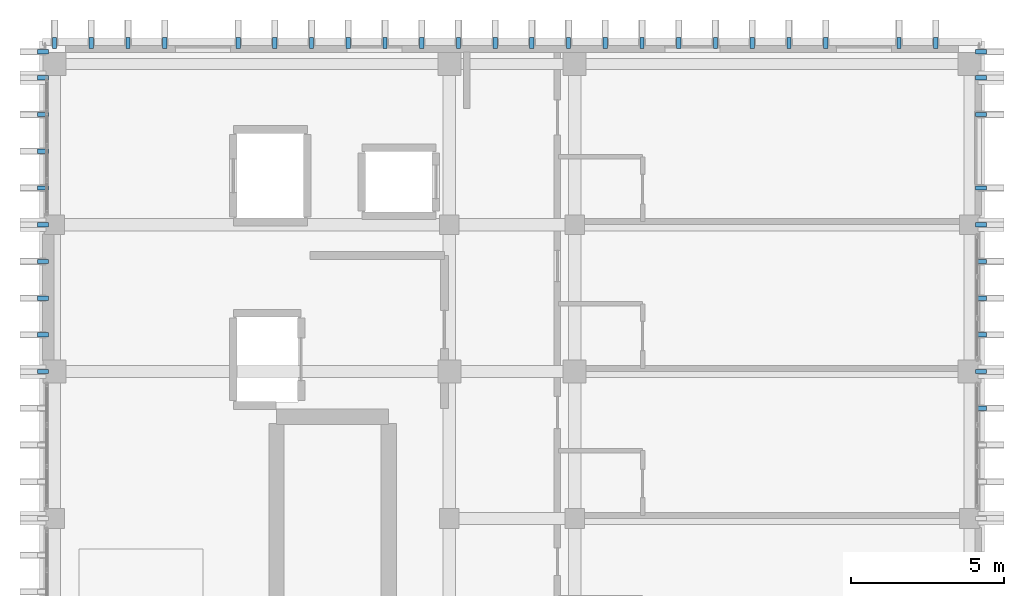
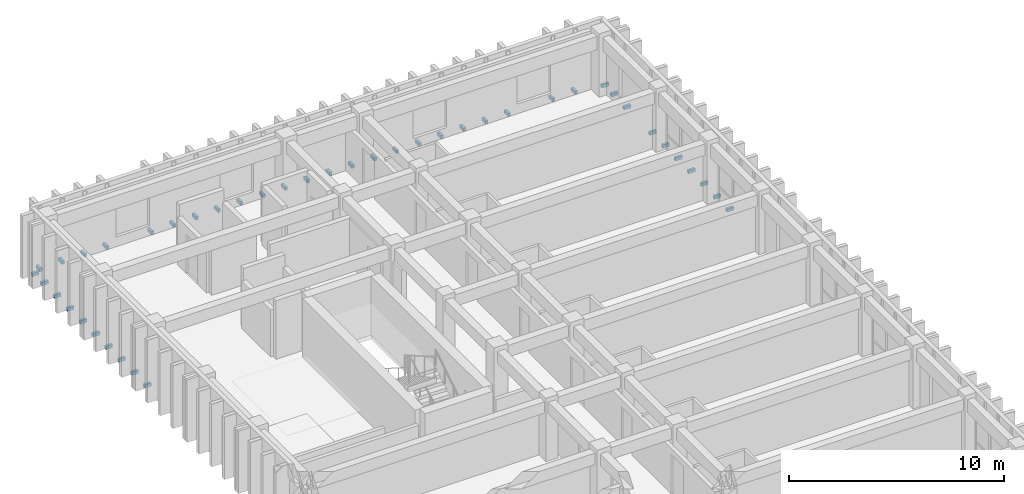
# One storey, part 57 of 64: 43 discrete accessories.
"""IFC4 building model written with IfcOpenShell, lengths in metres."""

from ifc_helpers import new_model, si_unit, direction, frame, origin, origin_2d, place, context, subcontext, project, spatial, rectangle, extrude, material, type_object, element, save


model = new_model("IFC4")

# Units and contexts
model_context = context("Model", 3, precision=1e-05, world=origin(), true_north=direction((0.0, 1.0)))
body_context = subcontext(model_context, "Body", "Model", "MODEL_VIEW")
ifc_project = project(units=[si_unit("LENGTHUNIT", "METRE"), si_unit("AREAUNIT", "SQUARE_METRE"), si_unit("VOLUMEUNIT", "CUBIC_METRE"), si_unit("PLANEANGLEUNIT", "RADIAN"), si_unit("MASSUNIT", "GRAM", prefix="KILO")], contexts=[model_context])

# Site, building, storey
site_placement = place(None, origin())
site = spatial("IfcSite", under=ifc_project, at=site_placement, CompositionType="ELEMENT")
building_placement = place(site_placement, origin())
building = spatial("IfcBuilding", under=site, at=building_placement, Name="Nakhvara Creek Congress Hotel", CompositionType="ELEMENT")
storey_placement = place(building_placement, frame((0.0, 0.0, 28.199951171875)))
storey = spatial("IfcBuildingStorey", under=building, at=storey_placement, Name="L06", CompositionType="ELEMENT", Elevation=28.199951171875)

# Discrete accessories
ifc_material = material(Name="Brushed stainless steel 316L", Category="steel")
discrete_accessory_type = type_object("IfcDiscreteAccessoryType", Name="ACC-BRK-SS316", PredefinedType="BRACKET", material=ifc_material)
for number, where, z_axis, x_axis, name in (
    (1, (179.72998046875, 114.0, -0.10986328125), (0.0, 0.0, 1.0), (0.0, 1.0, 0.0), "Stainless Fin Bracket BK01-1604"),
    (2, (179.72998046875, 115.199951171875, -0.10986328125), (0.0, 0.0, 1.0), (0.0, 1.0, 0.0), "Stainless Fin Bracket BK01-1606"),
    (3, (149.070068359375, 115.199951171875, -0.10986328125), (0.0, 0.0, 1.0), (0.0, 1.0, 0.0), "Stainless Fin Bracket BK01-1607"),
    (4, (179.72998046875, 116.39990234375, -0.10986328125), (0.0, 0.0, 1.0), (0.0, 1.0, 0.0), "Stainless Fin Bracket BK01-1608"),
    (5, (149.070068359375, 116.39990234375, -0.10986328125), (0.0, 0.0, 1.0), (0.0, 1.0, 0.0), "Stainless Fin Bracket BK01-1609"),
    (6, (179.72998046875, 117.60009765625, -0.10986328125), (0.0, 0.0, 1.0), (0.0, 1.0, 0.0), "Stainless Fin Bracket BK01-1610"),
    (7, (149.070068359375, 117.60009765625, -0.10986328125), (0.0, 0.0, 1.0), (0.0, 1.0, 0.0), "Stainless Fin Bracket BK01-1611"),
    (8, (179.72998046875, 118.800048828125, -0.10986328125), (0.0, 0.0, 1.0), (0.0, 1.0, 0.0), "Stainless Fin Bracket BK01-1612"),
    (9, (149.070068359375, 118.800048828125, -0.10986328125), (0.0, 0.0, 1.0), (0.0, 1.0, 0.0), "Stainless Fin Bracket BK01-1613"),
    (10, (179.72998046875, 120.0, -0.10986328125), (0.0, 0.0, 1.0), (0.0, 1.0, 0.0), "Stainless Fin Bracket BK01-1614"),
    (11, (149.070068359375, 120.0, -0.10986328125), (0.0, 0.0, 1.0), (0.0, 1.0, 0.0), "Stainless Fin Bracket BK01-1615"),
    (12, (179.72998046875, 121.199951171875, -0.10986328125), (0.0, 0.0, 1.0), (0.0, 1.0, 0.0), "Stainless Fin Bracket BK01-1616"),
    (13, (149.070068359375, 121.199951171875, -0.10986328125), (0.0, 0.0, 1.0), (0.0, 1.0, 0.0), "Stainless Fin Bracket BK01-1617"),
    (14, (149.070068359375, 122.39990234375, -0.10986328125), (0.0, 0.0, 1.0), (0.0, 1.0, 0.0), "Stainless Fin Bracket BK01-1618"),
    (15, (179.72998046875, 123.60009765625, -0.10986328125), (0.0, 0.0, 1.0), (0.0, 1.0, 0.0), "Stainless Fin Bracket BK01-1619"),
    (16, (149.070068359375, 123.60009765625, -0.10986328125), (0.0, 0.0, 1.0), (0.0, 1.0, 0.0), "Stainless Fin Bracket BK01-1620"),
    (17, (179.72998046875, 124.800048828125, -0.10986328125), (0.0, 0.0, 1.0), (0.0, 1.0, 0.0), "Stainless Fin Bracket BK01-1621"),
    (18, (149.070068359375, 124.800048828125, -0.10986328125), (0.0, 0.0, 1.0), (0.0, 1.0, 0.0), "Stainless Fin Bracket BK01-1622"),
    (19, (179.72998046875, 125.64990234375, -0.10986328125), (0.0, 0.0, 1.0), (0.0, 1.0, 0.0), "Stainless Fin Bracket BK01-1623"),
    (20, (149.070068359375, 125.64990234375, -0.10986328125), (0.0, 0.0, 1.0), (0.0, 1.0, 0.0), "Stainless Fin Bracket BK01-1624"),
    (21, (149.449951171875, 125.93994140625, -0.10986328125), (0.0, 0.0, 1.0), (1.0, 0.0, 0.0), "Stainless Fin Bracket BK01-1625"),
    (22, (150.64990234375, 125.93994140625, -0.10986328125), (0.0, 0.0, 1.0), (1.0, 0.0, 0.0), "Stainless Fin Bracket BK01-1627"),
    (23, (151.85009765625, 125.93994140625, -0.10986328125), (0.0, 0.0, 1.0), (1.0, 0.0, 0.0), "Stainless Fin Bracket BK01-1629"),
    (24, (153.050048828125, 125.93994140625, -0.10986328125), (0.0, 0.0, 1.0), (1.0, 0.0, 0.0), "Stainless Fin Bracket BK01-1631"),
    (25, (155.449951171875, 125.93994140625, -0.10986328125), (0.0, 0.0, 1.0), (1.0, 0.0, 0.0), "Stainless Fin Bracket BK01-1634"),
    (26, (156.64990234375, 125.93994140625, -0.10986328125), (0.0, 0.0, 1.0), (1.0, 0.0, 0.0), "Stainless Fin Bracket BK01-1636"),
    (27, (157.85009765625, 125.93994140625, -0.10986328125), (0.0, 0.0, 1.0), (1.0, 0.0, 0.0), "Stainless Fin Bracket BK01-1638"),
    (28, (159.050048828125, 125.93994140625, -0.10986328125), (0.0, 0.0, 1.0), (1.0, 0.0, 0.0), "Stainless Fin Bracket BK01-1640"),
    (29, (160.25, 125.93994140625, -0.10986328125), (0.0, 0.0, 1.0), (1.0, 0.0, 0.0), "Stainless Fin Bracket BK01-1642"),
    (30, (161.449951171875, 125.93994140625, -0.10986328125), (0.0, 0.0, 1.0), (1.0, 0.0, 0.0), "Stainless Fin Bracket BK01-1644"),
    (31, (162.64990234375, 125.93994140625, -0.10986328125), (0.0, 0.0, 1.0), (1.0, 0.0, 0.0), "Stainless Fin Bracket BK01-1646"),
    (32, (163.85009765625, 125.93994140625, -0.10986328125), (0.0, 0.0, 1.0), (1.0, 0.0, 0.0), "Stainless Fin Bracket BK01-1648"),
    (33, (165.050048828125, 125.93994140625, -0.10986328125), (0.0, 0.0, 1.0), (1.0, 0.0, 0.0), "Stainless Fin Bracket BK01-1649"),
    (34, (166.25, 125.93994140625, -0.10986328125), (0.0, 0.0, 1.0), (1.0, 0.0, 0.0), "Stainless Fin Bracket BK01-1650"),
    (35, (167.449951171875, 125.93994140625, -0.10986328125), (0.0, 0.0, 1.0), (1.0, 0.0, 0.0), "Stainless Fin Bracket BK01-1652"),
    (36, (168.64990234375, 125.93994140625, -0.10986328125), (0.0, 0.0, 1.0), (1.0, 0.0, 0.0), "Stainless Fin Bracket BK01-1654"),
    (37, (169.85009765625, 125.93994140625, -0.10986328125), (0.0, 0.0, 1.0), (1.0, 0.0, 0.0), "Stainless Fin Bracket BK01-1655"),
    (38, (171.050048828125, 125.93994140625, -0.10986328125), (0.0, 0.0, 1.0), (1.0, 0.0, 0.0), "Stainless Fin Bracket BK01-1657"),
    (39, (172.25, 125.93994140625, -0.10986328125), (0.0, 0.0, 1.0), (1.0, 0.0, 0.0), "Stainless Fin Bracket BK01-1659"),
    (40, (173.449951171875, 125.93994140625, -0.10986328125), (0.0, 0.0, 1.0), (1.0, 0.0, 0.0), "Stainless Fin Bracket BK01-1661"),
    (41, (174.64990234375, 125.93994140625, -0.10986328125), (0.0, 0.0, 1.0), (1.0, 0.0, 0.0), "Stainless Fin Bracket BK01-1663"),
    (42, (177.050048828125, 125.93994140625, -0.10986328125), (0.0, 0.0, 1.0), (1.0, 0.0, 0.0), "Stainless Fin Bracket BK01-1666"),
    (43, (178.25, 125.93994140625, -0.10986328125), (0.0, 0.0, 1.0), (1.0, 0.0, 0.0), "Stainless Fin Bracket BK01-1668"),
):
    element("IfcDiscreteAccessory", number, at=place(storey_placement, frame(where, z_axis=z_axis, x_axis=x_axis)), inside=storey, type_object=discrete_accessory_type, Name=name, PredefinedType="BRACKET", context=body_context, shape_type="SweptSolid", body=[
        extrude(rectangle(XDim=0.139892578125, YDim=0.360107421875, at=origin_2d()), origin(), (0.0, 0.0, 1.0), 0.179931640625),
    ])

save(model, "model.ifc")
